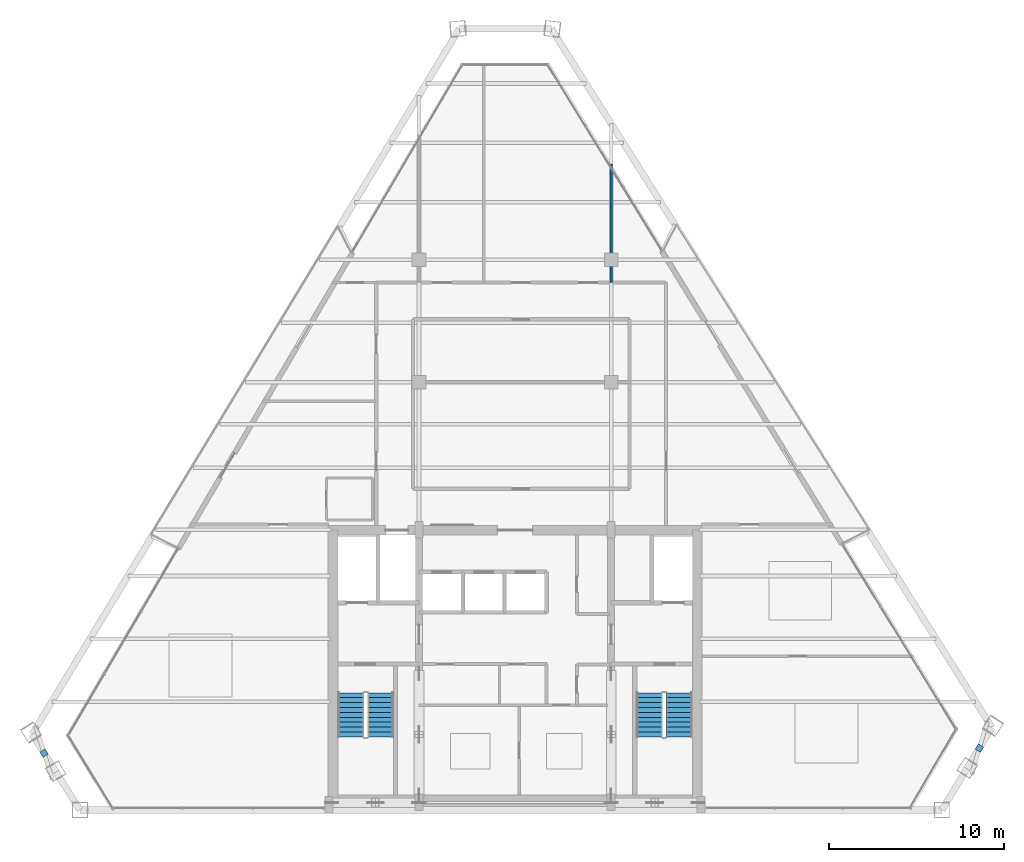
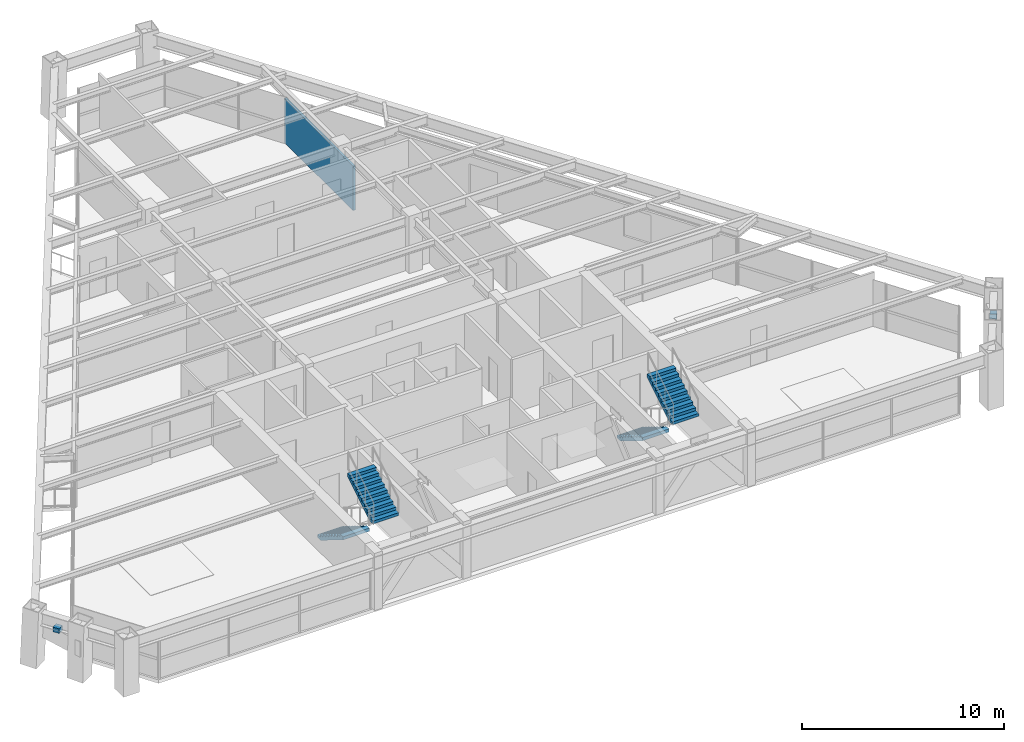
# One storey, part 11 of 13: 4 stair flights, 2 discrete accessories, 1 wall, 2 elements without a shape of their own.
"""IFC4 building model written with IfcOpenShell, lengths in metres."""

import ifcopenshell
import ifcopenshell.guid

model = None  # the IFC model being written
_history = None  # IfcOwnerHistory: only IFC2X3 demands one
_inside = {}  # id of a spatial element -> (the spatial element, [elements in it])
_under = {}  # id of a project, library or spatial element -> (it, [spatial elements below it])
_declared = {}  # id of a project -> (the project, [libraries it declares])
_typed = {}  # id of a type object -> (the type object, [elements of that type])
_made_of = {}  # id of a material, layer set ... -> (it, [elements and type objects made of it])


def new_model(schema):
    """Start an empty IFC model of exactly this schema.

    Asked for "IFC4X3", IfcOpenShell would pick the latest addendum, in which some entities
    have other attributes; the version numbers below select the first issue.
    IFC2X3 requires an IfcOwnerHistory on every rooted entity: one is made here for all.
    """
    global model, _history
    if schema == "IFC4X3":
        model = ifcopenshell.file(schema_version=(4, 3, 0, 0))
    else:
        model = ifcopenshell.file(schema=schema)
    _inside.clear()
    _under.clear()
    _declared.clear()
    _typed.clear()
    _made_of.clear()
    _history = None
    if model.schema == "IFC2X3":
        org = make("IfcOrganization", Name="unknown")
        user = make(
            "IfcPersonAndOrganization",
            ThePerson=make("IfcPerson", FamilyName="unknown"),
            TheOrganization=org,
        )
        app = make(
            "IfcApplication",
            ApplicationDeveloper=org,
            Version="unknown",
            ApplicationFullName="unknown",
            ApplicationIdentifier="unknown",
        )
        _history = make(
            "IfcOwnerHistory",
            OwningUser=user,
            OwningApplication=app,
            ChangeAction="ADDED",
            CreationDate=0,
        )
    return model


def make(cls, **values):
    """One entity of the class cls with the attributes given. An attribute that is None is left unset."""
    return model.create_entity(
        cls, **{name: value for name, value in values.items() if value is not None}
    )


def rooted(cls, **values):
    """An entity with a GlobalId (a new one), such as an element, a storey or a relation."""
    return make(cls, GlobalId=ifcopenshell.guid.new(), OwnerHistory=_history, **values)


def si_unit(unit_type, name, prefix=None):
    """IfcSIUnit, for example si_unit("LENGTHUNIT", "METRE", prefix="MILLI")."""
    return make("IfcSIUnit", UnitType=unit_type, Prefix=prefix, Name=name)


def assignment(units):
    """IfcUnitAssignment: the units of a project."""
    return None if units is None else make("IfcUnitAssignment", Units=units)


def point(xyz):
    """IfcCartesianPoint."""
    return None if xyz is None else make("IfcCartesianPoint", Coordinates=xyz)


def direction(xyz):
    """IfcDirection."""
    return None if xyz is None else make("IfcDirection", DirectionRatios=xyz)


def frame(location, z_axis=None, x_axis=None):
    """IfcAxis2Placement3D, a coordinate frame: its origin and axes. An axis left out is left unset."""
    return make(
        "IfcAxis2Placement3D",
        Location=point(location),
        Axis=direction(z_axis),
        RefDirection=direction(x_axis),
    )


def frame_2d(location, x_axis=None):
    """IfcAxis2Placement2D, a coordinate frame in the plane: its origin and x axis."""
    return make(
        "IfcAxis2Placement2D", Location=point(location), RefDirection=direction(x_axis)
    )


def origin():
    """The frame at (0, 0, 0) with its axes left unset."""
    return frame((0.0, 0.0, 0.0))


def origin_2d():
    """The frame at (0, 0) in the plane with its x axis left unset."""
    return frame_2d((0.0, 0.0))


def place(relative_to, where):
    """IfcLocalPlacement: puts the frame where relative to a parent placement (None: the world)."""
    return make(
        "IfcLocalPlacement", PlacementRelTo=relative_to, RelativePlacement=where
    )


def context(
    kind, dimensions, precision=None, world=None, true_north=None, identifier=None
):
    """IfcGeometricRepresentationContext, for example the 3D "Model" context."""
    return make(
        "IfcGeometricRepresentationContext",
        ContextIdentifier=identifier,
        ContextType=kind,
        CoordinateSpaceDimension=dimensions,
        Precision=precision,
        WorldCoordinateSystem=world,
        TrueNorth=true_north,
    )


def subcontext(parent, identifier, kind, view, scale=None):
    """IfcGeometricRepresentationSubContext, for example "Body" below "Model"."""
    return make(
        "IfcGeometricRepresentationSubContext",
        ContextIdentifier=identifier,
        ContextType=kind,
        ParentContext=parent,
        TargetScale=scale,
        TargetView=view,
    )


def project(units=None, contexts=None):
    """IfcProject with its units and contexts."""
    return rooted(
        "IfcProject",
        Name="project",
        RepresentationContexts=contexts,
        UnitsInContext=assignment(units),
    )


def spatial(cls, under=None, at=None, **own):
    """A site, building, storey or space (cls), placed at a placement, below another one or the project."""
    s = rooted(cls, ObjectPlacement=at, **own)
    if under is not None:
        _under.setdefault(under.id(), (under, []))[1].append(s)
    return s


def polyline(points):
    """IfcPolyline through the points."""
    return make("IfcPolyline", Points=[point(p) for p in points])


def profile(cls, at=None, kind="AREA", **sizes):
    """A parametric profile (cls). Its sizes go by their IFC names, for example OverallWidth=200.0."""
    return make(cls, ProfileType=kind, Position=at, **sizes)


def rectangle(**sizes):
    """IfcRectangleProfileDef."""
    return profile("IfcRectangleProfileDef", **sizes)


def outline(outer, holes=None, kind="AREA"):
    """IfcArbitraryClosedProfileDef: a profile drawn as a closed curve; with holes, ...WithVoids."""
    if holes is None:
        return make("IfcArbitraryClosedProfileDef", ProfileType=kind, OuterCurve=outer)
    return make(
        "IfcArbitraryProfileDefWithVoids",
        ProfileType=kind,
        OuterCurve=outer,
        InnerCurves=holes,
    )


def extrude(swept, where, along, depth):
    """IfcExtrudedAreaSolid: the profile swept, set in the frame where, extruded along a direction by depth."""
    return make(
        "IfcExtrudedAreaSolid",
        SweptArea=swept,
        Position=where,
        ExtrudedDirection=direction(along),
        Depth=depth,
    )


def shape(context_of_items, identifier, shape_type, items):
    """IfcShapeRepresentation: the items that make up one representation, for example the "Body"."""
    return make(
        "IfcShapeRepresentation",
        ContextOfItems=context_of_items,
        RepresentationIdentifier=identifier,
        RepresentationType=shape_type,
        Items=items,
    )


def source(mapping_origin, context_of_items, identifier, shape_type, items):
    """IfcRepresentationMap: a shape defined once, which mapped items show again and again."""
    return make(
        "IfcRepresentationMap",
        MappingOrigin=mapping_origin,
        MappedRepresentation=shape(context_of_items, identifier, shape_type, items),
    )


def transform(
    local_origin,
    x_axis=None,
    y_axis=None,
    z_axis=None,
    scale=None,
    scale2=None,
    scale3=None,
    uniform=True,
):
    """IfcCartesianTransformationOperator3D, or its non-uniform kind. x_axis, y_axis, z_axis: its Axis1, 2, 3."""
    if uniform:
        return make(
            "IfcCartesianTransformationOperator3D",
            Axis1=direction(x_axis),
            Axis2=direction(y_axis),
            LocalOrigin=point(local_origin),
            Scale=scale,
            Axis3=direction(z_axis),
        )
    return make(
        "IfcCartesianTransformationOperator3DnonUniform",
        Axis1=direction(x_axis),
        Axis2=direction(y_axis),
        LocalOrigin=point(local_origin),
        Scale=scale,
        Axis3=direction(z_axis),
        Scale2=scale2,
        Scale3=scale3,
    )


def mapped(mapping_source, mapping_target):
    """IfcMappedItem: shows the shape of a source again, moved by a transform."""
    return make(
        "IfcMappedItem", MappingSource=mapping_source, MappingTarget=mapping_target
    )


def material(Name=None, Category=None):
    """IfcMaterial."""
    return make("IfcMaterial", Name=Name, Category=Category)


def layer(
    of_material, thickness, ventilated=None, Name=None, Category=None, Priority=None
):
    """IfcMaterialLayer: one layer of a wall or slab, of a material (None: an air gap)."""
    return make(
        "IfcMaterialLayer",
        Material=of_material,
        LayerThickness=thickness,
        IsVentilated=ventilated,
        Name=Name,
        Category=Category,
        Priority=Priority,
    )


def layer_set(layers, Name=None):
    """IfcMaterialLayerSet."""
    return make("IfcMaterialLayerSet", MaterialLayers=layers, LayerSetName=Name)


def made_of(thing, what):
    """Note that an element or type object is made of a material, layer set ...; save() writes the relation."""
    if what is not None:
        _made_of.setdefault(what.id(), (what, []))[1].append(thing)
    return thing


def type_object(cls, material=None, **own):
    """A type object (cls), such as IfcWallType, which elements share."""
    return made_of(rooted(cls, **own), material)


def type_shapes(of_type, sources):
    """Give a type object the sources (RepresentationMaps) that its elements show as mapped items."""
    of_type.RepresentationMaps = sources


def element(
    cls,
    number,
    at=None,
    inside=None,
    cuts=None,
    type_object=None,
    material=None,
    context=None,
    identifier="Body",
    shape_type=None,
    held_by="IfcProductDefinitionShape",
    body=None,
    shapes=None,
    **own,
):
    """One element of the class cls, such as IfcWall. Its Tag is "e" and its number.

    at: its placement. inside: the storey or other place that contains it. cuts: it is an
    opening in that element (IfcRelVoidsElement). A single representation is given by context,
    identifier, shape_type and body (its items); several are given by shapes. held_by: the class
    of the entity that holds the representations. save() writes the other relations.
    """
    e = rooted(cls, Tag="e%d" % number, ObjectPlacement=at, **own)
    if body is not None:
        shapes = [shape(context, identifier, shape_type, body)]
    if shapes is not None:
        e.Representation = make(held_by, Representations=shapes)
    if inside is not None:
        _inside.setdefault(inside.id(), (inside, []))[1].append(e)
    if cuts is not None:
        rooted(
            "IfcRelVoidsElement", RelatingBuildingElement=cuts, RelatedOpeningElement=e
        )
    if type_object is not None:
        _typed.setdefault(type_object.id(), (type_object, []))[1].append(e)
    return made_of(e, material)


def aggregate(whole, parts):
    """IfcRelAggregates: a whole, such as a stair, and the parts it consists of."""
    return rooted("IfcRelAggregates", RelatingObject=whole, RelatedObjects=parts)


def save(model, path):
    """Write the relations noted so far, then the file.

    IfcRelAggregates (storeys below a building ...), IfcRelContainedInSpatialStructure (elements
    in a storey), IfcRelDefinesByType, IfcRelAssociatesMaterial and IfcRelDeclares: one each for
    every whole, place, type object, material and project.
    """
    for whole, parts in _under.values():
        aggregate(whole, parts)
    for where, things in _inside.values():
        rooted(
            "IfcRelContainedInSpatialStructure",
            RelatedElements=things,
            RelatingStructure=where,
        )
    for kind, things in _typed.values():
        rooted("IfcRelDefinesByType", RelatedObjects=things, RelatingType=kind)
    for what, things in _made_of.values():
        rooted("IfcRelAssociatesMaterial", RelatedObjects=things, RelatingMaterial=what)
    for by, libraries in _declared.values():
        rooted("IfcRelDeclares", RelatingContext=by, RelatedDefinitions=libraries)
    model.write(path)


model = new_model("IFC4")

# Units and contexts
model_context = context("Model", 3, precision=1e-05, world=origin(), true_north=direction((0.0, 1.0)))
body_context = subcontext(model_context, "Body", "Model", "MODEL_VIEW")
ifc_project = project(units=[si_unit("LENGTHUNIT", "METRE"), si_unit("AREAUNIT", "SQUARE_METRE"), si_unit("VOLUMEUNIT", "CUBIC_METRE"), si_unit("PLANEANGLEUNIT", "RADIAN"), si_unit("MASSUNIT", "GRAM", prefix="KILO")], contexts=[model_context])

# Site, building, storey
site_placement = place(None, origin())
site = spatial("IfcSite", under=ifc_project, at=site_placement, CompositionType="ELEMENT")
building_placement = place(site_placement, origin())
building = spatial("IfcBuilding", under=site, at=building_placement, Name="Varnakhor Terracotta Tower", CompositionType="ELEMENT")
storey_placement = place(building_placement, frame((0.0, 0.0, 244.14990234375)))
storey = spatial("IfcBuildingStorey", under=building, at=storey_placement, Name="L63", CompositionType="ELEMENT", Elevation=244.14990234375)

# Wall
ifc_material_1 = material(Name="Acoustic Hotel Room Partition", Category="gypsum")
ifc_layer = layer(ifc_material_1, 0.1298828125, Name="Acoustic Hotel Room Partition")
ifc_layer_set = layer_set([ifc_layer], Name="Acoustic Hotel Room Partition")
wall_type = type_object("IfcWallType", Name="WAL-PART-130", PredefinedType="PARTITIONING", material=ifc_layer_set)
wall_placement = place(storey_placement, frame((5.5, 30.199951171875, 0.0), z_axis=(0.0, 0.0, 1.0), x_axis=(0.0, 1.0, 0.0)))
element("IfcWall", 1, at=wall_placement, inside=storey, type_object=wall_type, Name="L63 North East Column Wall", PredefinedType="PARTITIONING", context=body_context, shape_type="SweptSolid", body=[
    extrude(rectangle(XDim=6.775634765625, YDim=0.1298828125, at=frame_2d((3.3876953125, 0.0))), origin(), (0.0, 0.0, 1.0), 2.68310546875),
])

# Stair, stair flights
ifc_material_2 = material(Name="Concrete C40/50", Category="concrete")
stair_type = type_object("IfcStairType", Name="STR-CORE-HOTEL-1500", PredefinedType="HALF_TURN_STAIR", material=ifc_material_2)
stair_1_placement = place(storey_placement, origin())
stair_1 = element("IfcStair", 2, at=stair_1_placement, inside=storey, type_object=stair_type, Name="L63 Core Exit Stair ST-1", PredefinedType="HALF_TURN_STAIR")
stair_flight_type = type_object("IfcStairFlightType", Name="FLT-HOTEL-1500", PredefinedType="STRAIGHT", material=ifc_material_2)
stair_flight_1_placement = place(storey_placement, frame((-9.39990234375, 6.7099609375, 0.0), z_axis=(0.0, 0.0, 1.0), x_axis=(0.0, -1.0, 0.0)))
stair_flight_1 = element("IfcStairFlight", 3, at=stair_flight_1_placement, type_object=stair_flight_type, Name="ST-1 flight 1", NumberOfRisers=10, NumberOfTreads=9, PredefinedType="STRAIGHT", RiserHeight=0.1725, TreadLength=0.28, context=body_context, shape_type="SweptSolid", body=[
    extrude(outline(polyline([(0.0, 0.0), (0.0, 0.172607421875), (0.280029296875, 0.172607421875), (0.280029296875, 0.344970703125), (0.56005859375, 0.344970703125), (0.56005859375, 0.517578125), (0.840087890625, 0.517578125), (0.840087890625, 0.68994140625), (1.1201171875, 0.68994140625), (1.1201171875, 0.862548828125), (1.39990234375, 0.862548828125), (1.39990234375, 1.034912109375), (1.679931640625, 1.034912109375), (1.679931640625, 1.20751953125), (1.9599609375, 1.20751953125), (1.9599609375, 1.3798828125), (2.239990234375, 1.3798828125), (2.239990234375, 1.552490234375), (2.52001953125, 1.552490234375), (2.52001953125, 1.72509765625), (2.52001953125, 1.36474609375), (0.304931640625, 0.0), (0.0, 0.0)])), frame((0.0, 0.75, 0.0), z_axis=(0.0, -1.0, 0.0), x_axis=(1.0, 0.0, 0.0)), (0.0, 0.0, 1.0), 1.5),
])
stair_flight_2_placement = place(storey_placement, frame((-7.699951171875, 4.18994140625, 1.72509765625), z_axis=(0.0, 0.0, 1.0), x_axis=(0.0, 1.0, 0.0)))
stair_flight_2 = element("IfcStairFlight", 4, at=stair_flight_2_placement, type_object=stair_flight_type, Name="ST-1 flight 2", NumberOfRisers=10, NumberOfTreads=9, PredefinedType="STRAIGHT", RiserHeight=0.1725, TreadLength=0.28, context=body_context, shape_type="SweptSolid", body=[
    extrude(outline(polyline([(0.0, 0.0), (0.0, 0.172607421875), (0.280029296875, 0.172607421875), (0.280029296875, 0.344970703125), (0.56005859375, 0.344970703125), (0.56005859375, 0.517578125), (0.840087890625, 0.517578125), (0.840087890625, 0.68994140625), (1.1201171875, 0.68994140625), (1.1201171875, 0.862548828125), (1.39990234375, 0.862548828125), (1.39990234375, 1.034912109375), (1.679931640625, 1.034912109375), (1.679931640625, 1.20751953125), (1.9599609375, 1.20751953125), (1.9599609375, 1.3798828125), (2.239990234375, 1.3798828125), (2.239990234375, 1.552490234375), (2.52001953125, 1.552490234375), (2.52001953125, 1.72509765625), (2.52001953125, 1.36474609375), (0.304931640625, 0.0), (0.0, 0.0)])), frame((0.0, 0.75, 0.0), z_axis=(0.0, -1.0, 0.0), x_axis=(1.0, 0.0, 0.0)), (0.0, 0.0, 1.0), 1.5),
])
aggregate(stair_1, [stair_flight_1, stair_flight_2])

stair_2_placement = place(storey_placement, origin())
stair_2 = element("IfcStair", 5, at=stair_2_placement, inside=storey, type_object=stair_type, Name="L63 Core Exit Stair ST-2", PredefinedType="HALF_TURN_STAIR")
stair_flight_3_placement = place(storey_placement, frame((7.699951171875, 6.7099609375, 0.0), z_axis=(0.0, 0.0, 1.0), x_axis=(0.0, -1.0, 0.0)))
stair_flight_3 = element("IfcStairFlight", 6, at=stair_flight_3_placement, type_object=stair_flight_type, Name="ST-2 flight 1", NumberOfRisers=10, NumberOfTreads=9, PredefinedType="STRAIGHT", RiserHeight=0.1725, TreadLength=0.28, context=body_context, shape_type="SweptSolid", body=[
    extrude(outline(polyline([(0.0, 0.0), (0.0, 0.172607421875), (0.280029296875, 0.172607421875), (0.280029296875, 0.344970703125), (0.56005859375, 0.344970703125), (0.56005859375, 0.517578125), (0.840087890625, 0.517578125), (0.840087890625, 0.68994140625), (1.1201171875, 0.68994140625), (1.1201171875, 0.862548828125), (1.39990234375, 0.862548828125), (1.39990234375, 1.034912109375), (1.679931640625, 1.034912109375), (1.679931640625, 1.20751953125), (1.9599609375, 1.20751953125), (1.9599609375, 1.3798828125), (2.239990234375, 1.3798828125), (2.239990234375, 1.552490234375), (2.52001953125, 1.552490234375), (2.52001953125, 1.72509765625), (2.52001953125, 1.36474609375), (0.304931640625, 0.0), (0.0, 0.0)])), frame((0.0, 0.75, 0.0), z_axis=(0.0, -1.0, 0.0), x_axis=(1.0, 0.0, 0.0)), (0.0, 0.0, 1.0), 1.5),
])
stair_flight_4_placement = place(storey_placement, frame((9.39990234375, 4.18994140625, 1.72509765625), z_axis=(0.0, 0.0, 1.0), x_axis=(0.0, 1.0, 0.0)))
stair_flight_4 = element("IfcStairFlight", 7, at=stair_flight_4_placement, type_object=stair_flight_type, Name="ST-2 flight 2", NumberOfRisers=10, NumberOfTreads=9, PredefinedType="STRAIGHT", RiserHeight=0.1725, TreadLength=0.28, context=body_context, shape_type="SweptSolid", body=[
    extrude(outline(polyline([(0.0, 0.0), (0.0, 0.172607421875), (0.280029296875, 0.172607421875), (0.280029296875, 0.344970703125), (0.56005859375, 0.344970703125), (0.56005859375, 0.517578125), (0.840087890625, 0.517578125), (0.840087890625, 0.68994140625), (1.1201171875, 0.68994140625), (1.1201171875, 0.862548828125), (1.39990234375, 0.862548828125), (1.39990234375, 1.034912109375), (1.679931640625, 1.034912109375), (1.679931640625, 1.20751953125), (1.9599609375, 1.20751953125), (1.9599609375, 1.3798828125), (2.239990234375, 1.3798828125), (2.239990234375, 1.552490234375), (2.52001953125, 1.552490234375), (2.52001953125, 1.72509765625), (2.52001953125, 1.36474609375), (0.304931640625, 0.0), (0.0, 0.0)])), frame((0.0, 0.75, 0.0), z_axis=(0.0, -1.0, 0.0), x_axis=(1.0, 0.0, 0.0)), (0.0, 0.0, 1.0), 1.5),
])
aggregate(stair_2, [stair_flight_3, stair_flight_4])

# Discrete accessories
ifc_material_3 = material(Name="Stainless Steel Fixing Bracket", Category="steel")
discrete_accessory_type = type_object("IfcDiscreteAccessoryType", Name="BRACKET-TERRACOTTA-SCREEN", PredefinedType="BRACKET", material=ifc_material_3)
shared_shape = source(origin(), body_context, "Body", "SweptSolid", [
    extrude(rectangle(XDim=0.35009765625, YDim=0.35009765625, at=origin_2d()), origin(), (0.0, 0.0, 1.0), 0.280029296875),
])
type_shapes(discrete_accessory_type, [shared_shape])
for number, where, z_axis, x_axis, name in (
    (8, (26.586669921875, 3.544189453125, 2.3369140625), (0.0, 0.0, 1.0), (0.518027009373, 0.855364260161, 0.0), "L63 E Screen Fixing Bracket"),
    (9, (-26.9677734375, 3.25634765625, 2.3369140625), (0.0, 0.0, 1.0), (0.533348796356, -0.845895419911, 0.0), "L63 W Screen Fixing Bracket"),
):
    element("IfcDiscreteAccessory", number, at=place(storey_placement, frame(where, z_axis=z_axis, x_axis=x_axis)), inside=storey, type_object=discrete_accessory_type, Name=name, PredefinedType="BRACKET", context=body_context, shape_type="MappedRepresentation", body=[
        mapped(shared_shape, transform((0.0, 0.0, 0.0), scale=1.0)),
    ])

save(model, "model.ifc")
